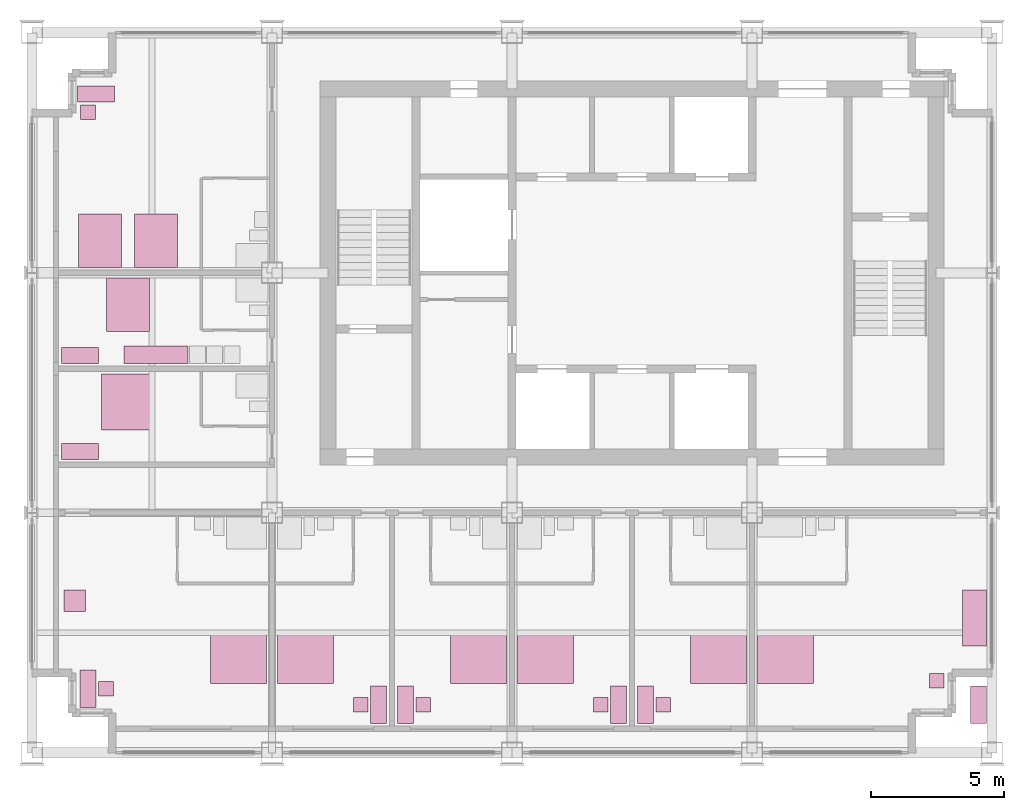
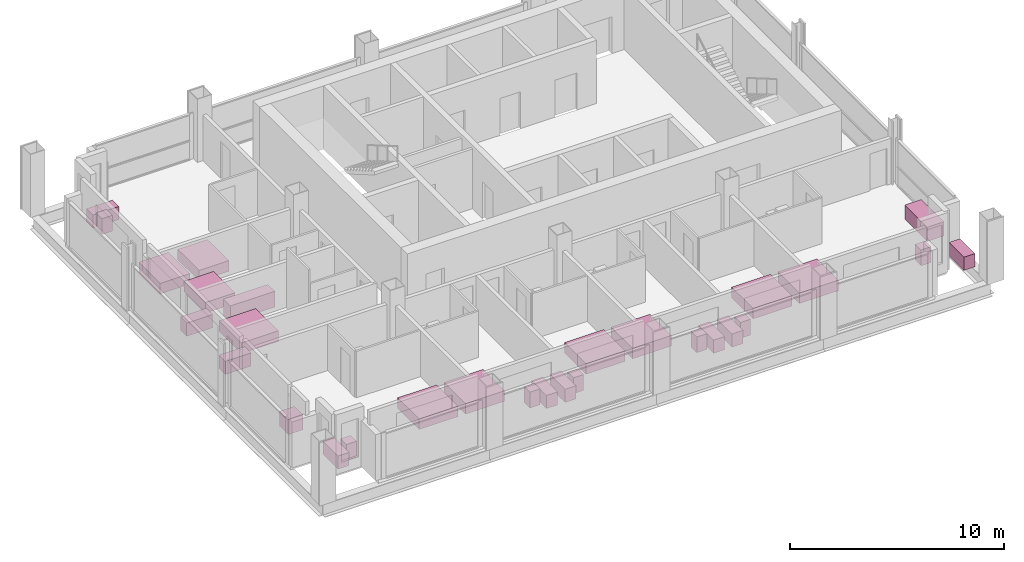
# One storey, part 12 of 12: 29 furniture elements.
"""IFC4 building model written with IfcOpenShell, lengths in metres."""

from ifc_helpers import new_model, si_unit, direction, frame, origin, origin_2d, place, context, subcontext, project, spatial, rectangle, extrude, element, save


model = new_model("IFC4")

# Units and contexts
model_context = context("Model", 3, precision=1e-05, world=origin(), true_north=direction((0.0, 1.0)))
body_context = subcontext(model_context, "Body", "Model", "MODEL_VIEW")
ifc_project = project(units=[si_unit("LENGTHUNIT", "METRE"), si_unit("AREAUNIT", "SQUARE_METRE"), si_unit("VOLUMEUNIT", "CUBIC_METRE"), si_unit("PLANEANGLEUNIT", "RADIAN"), si_unit("MASSUNIT", "GRAM", prefix="KILO")], contexts=[model_context])

# Site, building, storey
site_placement = place(None, origin())
site = spatial("IfcSite", under=ifc_project, at=site_placement, CompositionType="ELEMENT")
building_placement = place(site_placement, origin())
building = spatial("IfcBuilding", under=site, at=building_placement, Name="Loomwork Tower", CompositionType="ELEMENT")
storey_placement = place(building_placement, frame((0.0, 0.0, 255.39990234375)))
storey = spatial("IfcBuildingStorey", under=building, at=storey_placement, Name="L70", CompositionType="ELEMENT", Elevation=255.39990234375)

# Furniture
furniture_1_placement = place(storey_placement, frame((7.75, 3.60009765625, 0.0), z_axis=(0.0, 0.0, 1.0), x_axis=(1.0, 0.0, 0.0)))
element("IfcFurniture", 1, at=furniture_1_placement, inside=storey, Name="King bed L70", PredefinedType="BED", context=body_context, shape_type="SweptSolid", body=[
    extrude(rectangle(XDim=2.10009765625, YDim=2.0, at=origin_2d()), origin(), (0.0, 0.0, 1.0), 0.60009765625),
])
furniture_2_placement = place(storey_placement, frame((2.10009765625, 2.39990234375, 0.0), z_axis=(0.0, 0.0, 1.0), x_axis=(1.0, 0.0, 0.0)))
element("IfcFurniture", 2, at=furniture_2_placement, inside=storey, Name="Writing desk L70", PredefinedType="DESK", context=body_context, shape_type="SweptSolid", body=[
    extrude(rectangle(XDim=0.60009765625, YDim=1.39990234375, at=origin_2d()), origin(), (0.0, 0.0, 1.0), 0.75),
])
furniture_3_placement = place(storey_placement, frame((2.77490234375, 2.39990234375, 0.000244140625), z_axis=(0.0, 0.0, 1.0), x_axis=(1.0, 0.0, 0.0)))
element("IfcFurniture", 3, at=furniture_3_placement, inside=storey, Name="Desk chair L70", PredefinedType="CHAIR", context=body_context, shape_type="SweptSolid", body=[
    extrude(rectangle(XDim=0.550048828125, YDim=0.550048828125, at=origin_2d()), origin(), (0.0, 0.0, 1.0), 0.89990234375),
])
furniture_4_placement = place(storey_placement, frame((1.60009765625, 5.699951171875, 0.0), z_axis=(0.0, 0.0, 1.0), x_axis=(1.0, 0.0, 0.0)))
element("IfcFurniture", 4, at=furniture_4_placement, inside=storey, Name="Lounge armchair L70", PredefinedType="CHAIR", context=body_context, shape_type="SweptSolid", body=[
    extrude(rectangle(XDim=0.800048828125, YDim=0.800048828125, at=origin_2d()), origin(), (0.0, 0.0, 1.0), 0.85009765625),
])
furniture_5_placement = place(storey_placement, frame((10.25, 3.60009765625, 0.0), z_axis=(0.0, 0.0, 1.0), x_axis=(1.0, 0.0, 0.0)))
element("IfcFurniture", 5, at=furniture_5_placement, inside=storey, Name="King bed L70", PredefinedType="BED", context=body_context, shape_type="SweptSolid", body=[
    extrude(rectangle(XDim=2.10009765625, YDim=2.0, at=origin_2d()), origin(), (0.0, 0.0, 1.0), 0.60009765625),
])
furniture_6_placement = place(storey_placement, frame((13.0, 1.800048828125, 0.0), z_axis=(0.0, 0.0, 1.0), x_axis=(1.0, 0.0, 0.0)))
element("IfcFurniture", 6, at=furniture_6_placement, inside=storey, Name="Writing desk L70", PredefinedType="DESK", context=body_context, shape_type="SweptSolid", body=[
    extrude(rectangle(XDim=0.60009765625, YDim=1.39990234375, at=origin_2d()), origin(), (0.0, 0.0, 1.0), 0.75),
])
furniture_7_placement = place(storey_placement, frame((12.324951171875, 1.800048828125, 0.000244140625), z_axis=(0.0, 0.0, 1.0), x_axis=(1.0, 0.0, 0.0)))
element("IfcFurniture", 7, at=furniture_7_placement, inside=storey, Name="Desk chair L70", PredefinedType="CHAIR", context=body_context, shape_type="SweptSolid", body=[
    extrude(rectangle(XDim=0.550048828125, YDim=0.550048828125, at=origin_2d()), origin(), (0.0, 0.0, 1.0), 0.89990234375),
])
furniture_8_placement = place(storey_placement, frame((16.75, 3.60009765625, 0.0), z_axis=(0.0, 0.0, 1.0), x_axis=(1.0, 0.0, 0.0)))
element("IfcFurniture", 8, at=furniture_8_placement, inside=storey, Name="King bed L70", PredefinedType="BED", context=body_context, shape_type="SweptSolid", body=[
    extrude(rectangle(XDim=2.10009765625, YDim=2.0, at=origin_2d()), origin(), (0.0, 0.0, 1.0), 0.60009765625),
])
furniture_9_placement = place(storey_placement, frame((14.0, 1.800048828125, 0.0), z_axis=(0.0, 0.0, 1.0), x_axis=(1.0, 0.0, 0.0)))
element("IfcFurniture", 9, at=furniture_9_placement, inside=storey, Name="Writing desk L70", PredefinedType="DESK", context=body_context, shape_type="SweptSolid", body=[
    extrude(rectangle(XDim=0.60009765625, YDim=1.39990234375, at=origin_2d()), origin(), (0.0, 0.0, 1.0), 0.75),
])
furniture_10_placement = place(storey_placement, frame((14.675048828125, 1.800048828125, 0.000244140625), z_axis=(0.0, 0.0, 1.0), x_axis=(1.0, 0.0, 0.0)))
element("IfcFurniture", 10, at=furniture_10_placement, inside=storey, Name="Desk chair L70", PredefinedType="CHAIR", context=body_context, shape_type="SweptSolid", body=[
    extrude(rectangle(XDim=0.550048828125, YDim=0.550048828125, at=origin_2d()), origin(), (0.0, 0.0, 1.0), 0.89990234375),
])
furniture_11_placement = place(storey_placement, frame((19.25, 3.60009765625, 0.0), z_axis=(0.0, 0.0, 1.0), x_axis=(1.0, 0.0, 0.0)))
element("IfcFurniture", 11, at=furniture_11_placement, inside=storey, Name="King bed L70", PredefinedType="BED", context=body_context, shape_type="SweptSolid", body=[
    extrude(rectangle(XDim=2.10009765625, YDim=2.0, at=origin_2d()), origin(), (0.0, 0.0, 1.0), 0.60009765625),
])
furniture_12_placement = place(storey_placement, frame((22.0, 1.800048828125, 0.0), z_axis=(0.0, 0.0, 1.0), x_axis=(1.0, 0.0, 0.0)))
element("IfcFurniture", 12, at=furniture_12_placement, inside=storey, Name="Writing desk L70", PredefinedType="DESK", context=body_context, shape_type="SweptSolid", body=[
    extrude(rectangle(XDim=0.60009765625, YDim=1.39990234375, at=origin_2d()), origin(), (0.0, 0.0, 1.0), 0.75),
])
furniture_13_placement = place(storey_placement, frame((21.324951171875, 1.800048828125, 0.000244140625), z_axis=(0.0, 0.0, 1.0), x_axis=(1.0, 0.0, 0.0)))
element("IfcFurniture", 13, at=furniture_13_placement, inside=storey, Name="Desk chair L70", PredefinedType="CHAIR", context=body_context, shape_type="SweptSolid", body=[
    extrude(rectangle(XDim=0.550048828125, YDim=0.550048828125, at=origin_2d()), origin(), (0.0, 0.0, 1.0), 0.89990234375),
])
furniture_14_placement = place(storey_placement, frame((25.75, 3.60009765625, 0.0), z_axis=(0.0, 0.0, 1.0), x_axis=(1.0, 0.0, 0.0)))
element("IfcFurniture", 14, at=furniture_14_placement, inside=storey, Name="King bed L70", PredefinedType="BED", context=body_context, shape_type="SweptSolid", body=[
    extrude(rectangle(XDim=2.10009765625, YDim=2.0, at=origin_2d()), origin(), (0.0, 0.0, 1.0), 0.60009765625),
])
furniture_15_placement = place(storey_placement, frame((23.0, 1.800048828125, 0.0), z_axis=(0.0, 0.0, 1.0), x_axis=(1.0, 0.0, 0.0)))
element("IfcFurniture", 15, at=furniture_15_placement, inside=storey, Name="Writing desk L70", PredefinedType="DESK", context=body_context, shape_type="SweptSolid", body=[
    extrude(rectangle(XDim=0.60009765625, YDim=1.39990234375, at=origin_2d()), origin(), (0.0, 0.0, 1.0), 0.75),
])
furniture_16_placement = place(storey_placement, frame((23.675048828125, 1.800048828125, 0.000244140625), z_axis=(0.0, 0.0, 1.0), x_axis=(1.0, 0.0, 0.0)))
element("IfcFurniture", 16, at=furniture_16_placement, inside=storey, Name="Desk chair L70", PredefinedType="CHAIR", context=body_context, shape_type="SweptSolid", body=[
    extrude(rectangle(XDim=0.550048828125, YDim=0.550048828125, at=origin_2d()), origin(), (0.0, 0.0, 1.0), 0.89990234375),
])
furniture_17_placement = place(storey_placement, frame((28.25, 3.60009765625, 0.0), z_axis=(0.0, 0.0, 1.0), x_axis=(1.0, 0.0, 0.0)))
element("IfcFurniture", 17, at=furniture_17_placement, inside=storey, Name="King bed L70", PredefinedType="BED", context=body_context, shape_type="SweptSolid", body=[
    extrude(rectangle(XDim=2.10009765625, YDim=2.0, at=origin_2d()), origin(), (0.0, 0.0, 1.0), 0.60009765625),
])
furniture_18_placement = place(storey_placement, frame((35.5, 1.800048828125, 0.0), z_axis=(0.0, 0.0, 1.0), x_axis=(1.0, 0.0, 0.0)))
element("IfcFurniture", 18, at=furniture_18_placement, inside=storey, Name="Writing desk L70", PredefinedType="DESK", context=body_context, shape_type="SweptSolid", body=[
    extrude(rectangle(XDim=0.60009765625, YDim=1.39990234375, at=origin_2d()), origin(), (0.0, 0.0, 1.0), 0.75),
])
furniture_19_placement = place(storey_placement, frame((33.925048828125, 2.699951171875, 0.000244140625), z_axis=(0.0, 0.0, 1.0), x_axis=(1.0, 0.0, 0.0)))
element("IfcFurniture", 19, at=furniture_19_placement, inside=storey, Name="Desk chair L70", PredefinedType="CHAIR", context=body_context, shape_type="SweptSolid", body=[
    extrude(rectangle(XDim=0.550048828125, YDim=0.550048828125, at=origin_2d()), origin(), (0.0, 0.0, 1.0), 0.89990234375),
])
furniture_20_placement = place(storey_placement, frame((35.35009765625, 5.050048828125, 0.0), z_axis=(0.0, 0.0, 1.0), x_axis=(1.0, 0.0, 0.0)))
element("IfcFurniture", 20, at=furniture_20_placement, inside=storey, Name="Sofa L70", PredefinedType="SOFA", context=body_context, shape_type="SweptSolid", body=[
    extrude(rectangle(XDim=0.89990234375, YDim=2.10009765625, at=origin_2d()), origin(), (0.0, 0.0, 1.0), 0.800048828125),
])
furniture_21_placement = place(storey_placement, frame((3.60009765625, 13.14990234375, 0.0), z_axis=(0.0, 0.0, 1.0), x_axis=(1.0, 0.0, 0.0)))
element("IfcFurniture", 21, at=furniture_21_placement, inside=storey, Name="King bed L70", PredefinedType="BED", context=body_context, shape_type="SweptSolid", body=[
    extrude(rectangle(XDim=2.0, YDim=2.10009765625, at=origin_2d()), origin(), (0.0, 0.0, 1.0), 0.60009765625),
])
furniture_22_placement = place(storey_placement, frame((1.800048828125, 11.300048828125, 0.0), z_axis=(0.0, 0.0, 1.0), x_axis=(1.0, 0.0, 0.0)))
element("IfcFurniture", 22, at=furniture_22_placement, inside=storey, Name="Writing desk L70", PredefinedType="DESK", context=body_context, shape_type="SweptSolid", body=[
    extrude(rectangle(XDim=1.39990234375, YDim=0.60009765625, at=origin_2d()), origin(), (0.0, 0.0, 1.0), 0.75),
])
furniture_23_placement = place(storey_placement, frame((3.60009765625, 16.800048828125, 0.0), z_axis=(0.0, 0.0, 1.0), x_axis=(1.0, 0.0, 0.0)))
element("IfcFurniture", 23, at=furniture_23_placement, inside=storey, Name="Queen bed L70", PredefinedType="BED", context=body_context, shape_type="SweptSolid", body=[
    extrude(rectangle(XDim=1.60009765625, YDim=2.0, at=origin_2d()), origin(), (0.0, 0.0, 1.0), 0.60009765625),
])
furniture_24_placement = place(storey_placement, frame((1.800048828125, 14.89990234375, 0.0), z_axis=(0.0, 0.0, 1.0), x_axis=(1.0, 0.0, 0.0)))
element("IfcFurniture", 24, at=furniture_24_placement, inside=storey, Name="Writing desk L70", PredefinedType="DESK", context=body_context, shape_type="SweptSolid", body=[
    extrude(rectangle(XDim=1.39990234375, YDim=0.60009765625, at=origin_2d()), origin(), (0.0, 0.0, 1.0), 0.75),
])
furniture_25_placement = place(storey_placement, frame((4.64990234375, 14.925048828125, 0.000244140625), z_axis=(0.0, 0.0, 1.0), x_axis=(1.0, 0.0, 0.0)))
element("IfcFurniture", 25, at=furniture_25_placement, inside=storey, Name="Kitchenette counter L70", ObjectType="KITCHENETTE", PredefinedType="USERDEFINED", context=body_context, shape_type="SweptSolid", body=[
    extrude(rectangle(XDim=2.39990234375, YDim=0.64990234375, at=origin_2d()), origin(), (0.0, 0.0, 1.0), 0.89990234375),
])
for number, where, z_axis, x_axis, name in (
    (26, (4.64990234375, 19.199951171875, 0.0), (0.0, 0.0, 1.0), (1.0, 0.0, 0.0), "Queen bed L70"),
    (27, (2.550048828125, 19.199951171875, 0.0), (0.0, 0.0, 1.0), (1.0, 0.0, 0.0), "Queen bed L70"),
):
    element("IfcFurniture", number, at=place(storey_placement, frame(where, z_axis=z_axis, x_axis=x_axis)), inside=storey, Name=name, PredefinedType="BED", context=body_context, shape_type="SweptSolid", body=[
        extrude(rectangle(XDim=1.60009765625, YDim=2.0, at=origin_2d()), origin(), (0.0, 0.0, 1.0), 0.60009765625),
    ])
furniture_26_placement = place(storey_placement, frame((2.39990234375, 24.699951171875, 0.0), z_axis=(0.0, 0.0, 1.0), x_axis=(1.0, 0.0, 0.0)))
element("IfcFurniture", 28, at=furniture_26_placement, inside=storey, Name="Writing desk L70", PredefinedType="DESK", context=body_context, shape_type="SweptSolid", body=[
    extrude(rectangle(XDim=1.39990234375, YDim=0.60009765625, at=origin_2d()), origin(), (0.0, 0.0, 1.0), 0.75),
])
furniture_27_placement = place(storey_placement, frame((2.10009765625, 24.02490234375, 0.000244140625), z_axis=(0.0, 0.0, 1.0), x_axis=(1.0, 0.0, 0.0)))
element("IfcFurniture", 29, at=furniture_27_placement, inside=storey, Name="Desk chair L70", PredefinedType="CHAIR", context=body_context, shape_type="SweptSolid", body=[
    extrude(rectangle(XDim=0.550048828125, YDim=0.550048828125, at=origin_2d()), origin(), (0.0, 0.0, 1.0), 0.89990234375),
])

save(model, "model.ifc")
